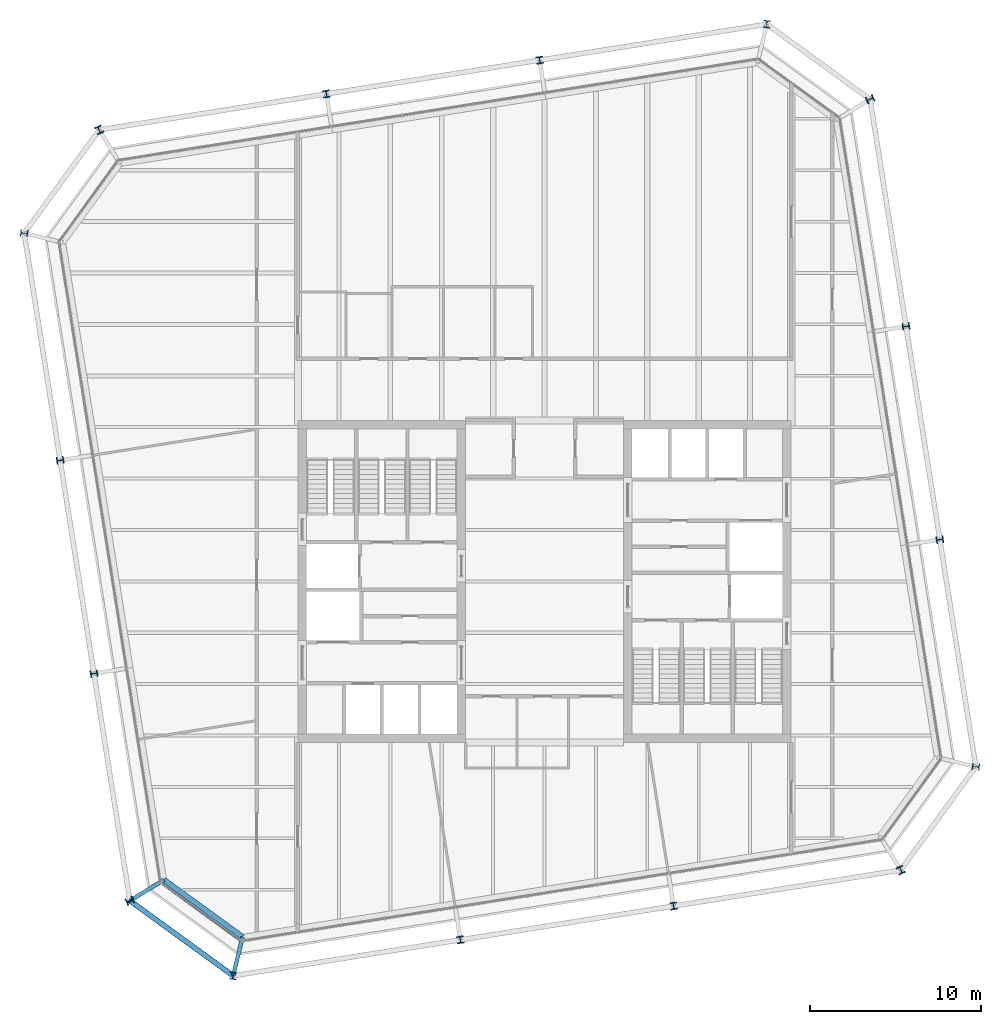
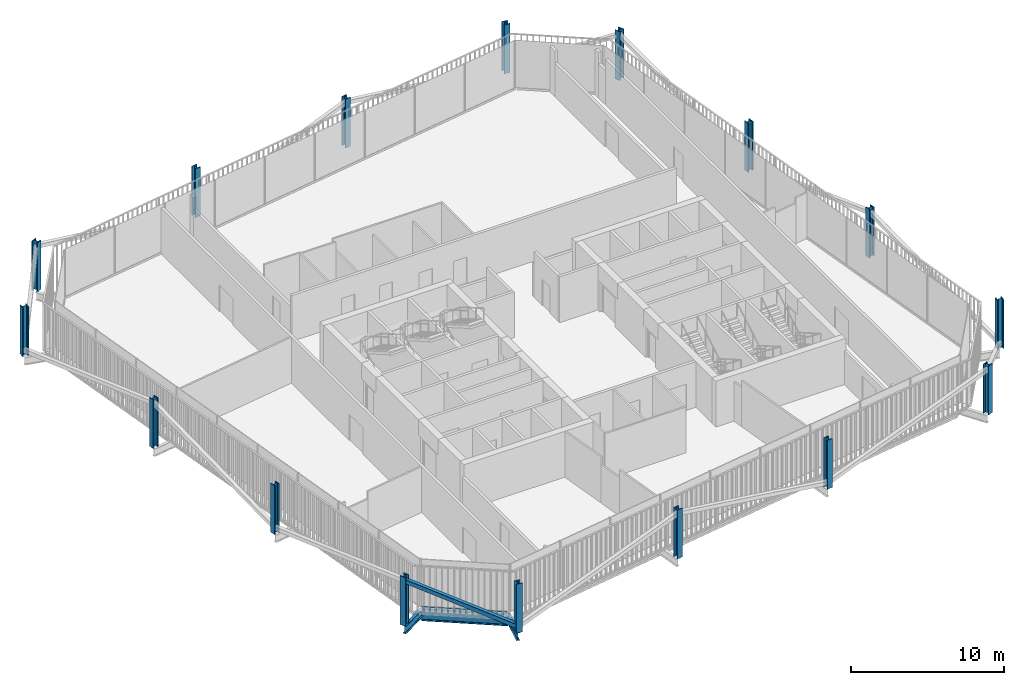
# One storey, part 1 of 21: 16 columns, 3 beams, 2 members, 1 element without a shape of its own.
"""IFC4 building model written with IfcOpenShell, lengths in metres."""

from ifc_helpers import new_model, si_unit, direction, frame, origin, origin_2d, place, context, subcontext, project, spatial, rectangle, hollow_rectangle, i_section, extrude, material, layer, layer_set, material_profile, profile_set, type_object, element, aggregate, save


model = new_model("IFC4")

# Units and contexts
model_context = context("Model", 3, precision=1e-05, world=origin(), true_north=direction((0.0, 1.0)))
body_context = subcontext(model_context, "Body", "Model", "MODEL_VIEW")
ifc_project = project(units=[si_unit("LENGTHUNIT", "METRE"), si_unit("AREAUNIT", "SQUARE_METRE"), si_unit("VOLUMEUNIT", "CUBIC_METRE"), si_unit("PLANEANGLEUNIT", "RADIAN"), si_unit("MASSUNIT", "GRAM", prefix="KILO")], contexts=[model_context])

# Site, building, storey
site_placement = place(None, origin())
site = spatial("IfcSite", under=ifc_project, at=site_placement, CompositionType="ELEMENT")
building_placement = place(site_placement, origin())
building = spatial("IfcBuilding", under=site, at=building_placement, Name="Millrace Tower", CompositionType="ELEMENT")
storey_placement = place(building_placement, frame((0.0, 0.0, 263.0)))
storey = spatial("IfcBuildingStorey", under=building, at=storey_placement, Name="L60", CompositionType="ELEMENT", Elevation=263.0)

# Columns
ifc_material_1 = material(Name="Steel ASTM A913 Grade 65", Category="steel")
ifc_material_profile_1 = material_profile(ifc_material_1, i_section(OverallWidth=0.408935546875, OverallDepth=0.424072265625, WebThickness=0.03271484375, FlangeThickness=0.052490234375, FilletRadius=0.01513671875, at=origin_2d()))
ifc_profile_set_1 = profile_set([ifc_material_profile_1], Name="Steel ASTM A913 Grade 65")
column_type_1 = type_object("IfcColumnType", Name="Exoskeleton column W14x283", PredefinedType="COLUMN", material=ifc_profile_set_1)
for number, where, z_axis, x_axis, name in (
    (1, (-4.91162109375, -20.927734375, 0.0), (0.0, 0.0, 1.0), (0.987688341035, 0.156434462265, 0.0), "COL-D-L60-X03"),
    (2, (7.533203125, -18.956787109375, 0.0), (0.0, 0.0, 1.0), (0.987688341035, 0.156434462265, 0.0), "COL-D-L60-X04"),
    (3, (23.07763671875, 2.4384765625, 0.0), (0.0, 0.0, 1.0), (-0.156434462265, 0.987688341035, 0.0), "COL-D-L60-X07"),
    (4, (21.106689453125, 14.88330078125, 0.0), (0.0, 0.0, 1.0), (-0.156434462265, 0.987688341035, 0.0), "COL-D-L60-X08"),
    (5, (-0.288330078125, 30.427734375, 0.0), (0.0, 0.0, 1.0), (-0.987688341035, -0.156434462265, 0.0), "COL-D-L60-X11"),
    (6, (-12.7333984375, 28.456787109375, 0.0), (0.0, 0.0, 1.0), (-0.987688341035, -0.156434462265, 0.0), "COL-D-L60-X12"),
    (7, (-28.27783203125, 7.0615234375, 0.0), (0.0, 0.0, 1.0), (0.156434462265, -0.987688341035, 0.0), "COL-D-L60-X15"),
    (8, (-26.306640625, -5.38330078125, 0.0), (0.0, 0.0, 1.0), (0.156434462265, -0.987688341035, 0.0), "COL-D-L60-X16"),
):
    element("IfcColumn", number, at=place(storey_placement, frame(where, z_axis=z_axis, x_axis=x_axis)), inside=storey, type_object=column_type_1, Name=name, PredefinedType="COLUMN", context=body_context, shape_type="SweptSolid", body=[
        extrude(i_section(OverallWidth=0.408935546875, OverallDepth=0.424072265625, WebThickness=0.03271484375, FlangeThickness=0.052490234375, FilletRadius=0.01513671875, at=origin_2d()), origin(), (0.0, 0.0, 1.0), 3.89990234375),
    ])
ifc_material_2 = material(Name="Steel ASTM A913 Grade 65", Category="steel")
ifc_material_profile_2 = material_profile(ifc_material_2, i_section(OverallWidth=0.41650390625, OverallDepth=0.444580078125, WebThickness=0.0390625, FlangeThickness=0.062744140625, FilletRadius=0.01513671875, at=origin_2d()))
ifc_profile_set_2 = profile_set([ifc_material_profile_2], Name="Steel ASTM A913 Grade 65")
column_type_2 = type_object("IfcColumnType", Name="Exoskeleton column W14x342", PredefinedType="COLUMN", material=ifc_profile_set_2)
for number, where, z_axis, x_axis, name in (
    (9, (-24.2060546875, -18.646484375, 0.0), (0.0, 0.0, 1.0), (0.418552981224, -0.908192381552, 0.0), "COL-D-L60-X01"),
    (10, (-18.174560546875, -23.0283203125, 0.0), (0.0, 0.0, 1.0), (0.993082267365, -0.117420655103, 0.0), "COL-D-L60-X02"),
    (11, (20.79638671875, -16.85595703125, 0.0), (0.0, 0.0, 1.0), (0.908192381552, 0.418552981224, 0.0), "COL-D-L60-X05"),
    (12, (25.178466796875, -10.82470703125, 0.0), (0.0, 0.0, 1.0), (0.117420655103, 0.993082267365, 0.0), "COL-D-L60-X06"),
    (13, (19.006103515625, 28.146484375, 0.0), (0.0, 0.0, 1.0), (-0.418552981224, 0.908192381552, 0.0), "COL-D-L60-X09"),
    (14, (12.974609375, 32.5283203125, 0.0), (0.0, 0.0, 1.0), (-0.993082267365, 0.117420655103, 0.0), "COL-D-L60-X10"),
    (15, (-25.996337890625, 26.35595703125, 0.0), (0.0, 0.0, 1.0), (-0.908192381552, -0.418552981224, 0.0), "COL-D-L60-X13"),
    (16, (-30.37841796875, 20.32470703125, 0.0), (0.0, 0.0, 1.0), (-0.117420655103, -0.993082267365, 0.0), "COL-D-L60-X14"),
):
    element("IfcColumn", number, at=place(storey_placement, frame(where, z_axis=z_axis, x_axis=x_axis)), inside=storey, type_object=column_type_2, Name=name, PredefinedType="COLUMN", context=body_context, shape_type="SweptSolid", body=[
        extrude(i_section(OverallWidth=0.41650390625, OverallDepth=0.444580078125, WebThickness=0.0390625, FlangeThickness=0.062744140625, FilletRadius=0.01513671875, at=origin_2d()), origin(), (0.0, 0.0, 1.0), 3.89990234375),
    ])

# Curtain wall, member
ifc_material_3 = material(Name="Aluminium and glass", Category="aluminium")
ifc_layer = layer(ifc_material_3, 0.14990234375)
ifc_layer_set = layer_set([ifc_layer], Name="Aluminium and glass")
curtain_wall_type = type_object("IfcCurtainWallType", Name="CW-1 office vision curtain wall", PredefinedType="NOTDEFINED", material=ifc_layer_set)
curtain_wall_placement = place(storey_placement, origin())
curtain_wall = element("IfcCurtainWall", 17, at=curtain_wall_placement, inside=storey, type_object=curtain_wall_type, Name="Curtain wall D-F01 L60", PredefinedType="NOTDEFINED")
ifc_material_4 = material(Name="Aluminium", Category="aluminium")
ifc_material_profile_3 = material_profile(ifc_material_4, rectangle(XDim=0.14990234375, YDim=0.139892578125, at=origin_2d()))
ifc_profile_set_3 = profile_set([ifc_material_profile_3], Name="Aluminium")
member_type_1 = type_object("IfcMemberType", Name="CW-1 office vision curtain wall transom", PredefinedType="USERDEFINED", material=ifc_profile_set_3)
member_1_placement = place(storey_placement, frame((-22.323486328125, -17.634765625, 0.070068359375), z_axis=(0.809033935994, -0.587761933448, 0.0), x_axis=(0.587761933448, 0.809033935994, 0.0)))
member_1 = element("IfcMember", 18, at=member_1_placement, type_object=member_type_1, Name="CW1 transom D-F01.1", ObjectType="TRANSOM", PredefinedType="USERDEFINED", context=body_context, shape_type="SweptSolid", body=[
    extrude(rectangle(XDim=0.14990234375, YDim=0.139892578125, at=origin_2d()), origin(), (0.0, 0.0, 1.0), 5.598388671875),
])
aggregate(curtain_wall, [member_1])

# Member
ifc_material_5 = material(Name="Steel ASTM A500 Grade C", Category="steel")
ifc_material_profile_4 = material_profile(ifc_material_5, hollow_rectangle(XDim=0.3046875, YDim=0.3046875, WallThickness=0.009521484375, InnerFilletRadius=0.004638671875, OuterFilletRadius=0.014404296875, at=origin_2d()))
ifc_profile_set_4 = profile_set([ifc_material_profile_4], Name="Steel ASTM A500 Grade C")
member_type_2 = type_object("IfcMemberType", Name="Exoskeleton brace HSS12x12x3/8", PredefinedType="BRACE", material=ifc_profile_set_4)
member_2_placement = place(storey_placement, frame((-18.174560546875, -23.0283203125, 0.39990234375), z_axis=(-0.747023691832, 0.542707193726, 0.383958989633), x_axis=(-0.587758820843, -0.809036197288, 0.0)))
element("IfcMember", 19, at=member_2_placement, inside=storey, type_object=member_type_2, Name="BRC-D-L60-01", PredefinedType="BRACE", context=body_context, shape_type="SweptSolid", body=[
    extrude(hollow_rectangle(XDim=0.3046875, YDim=0.3046875, WallThickness=0.009521484375, InnerFilletRadius=0.004638671875, OuterFilletRadius=0.014404296875, at=origin_2d()), origin(), (0.0, 0.0, 1.0), 8.073974609375),
])

# Beams
ifc_material_6 = material(Name="Steel ASTM A992 Grade 50", Category="steel")
ifc_material_profile_5 = material_profile(ifc_material_6, i_section(OverallWidth=0.23046875, OverallDepth=0.6171875, WebThickness=0.01318359375, FlangeThickness=0.022216796875, FilletRadius=0.012939453125, at=origin_2d()))
ifc_profile_set_5 = profile_set([ifc_material_profile_5], Name="Steel ASTM A992 Grade 50")
beam_type_1 = type_object("IfcBeamType", Name="Link beam W24x94", PredefinedType="BEAM", material=ifc_profile_set_5)
for number, where, z_axis, x_axis, name in (
    (20, (-22.218505859375, -17.428466796875, -0.468505859375), (-0.852631355792, -0.522512938711, 0.0), (0.522512938711, -0.852631355792, 0.0), "LNK-D-L60-S1-01"),
    (21, (-17.63037109375, -20.76171875, -0.468505859375), (-0.233456138164, -0.972367333652, 0.0), (0.972367333652, -0.233456138164, 0.0), "LNK-D-L60-S1-16"),
):
    element("IfcBeam", number, at=place(storey_placement, frame(where, z_axis=z_axis, x_axis=x_axis)), inside=storey, type_object=beam_type_1, Name=name, PredefinedType="BEAM", context=body_context, shape_type="SweptSolid", body=[
        extrude(i_section(OverallWidth=0.23046875, OverallDepth=0.6171875, WebThickness=0.01318359375, FlangeThickness=0.022216796875, FilletRadius=0.012939453125, at=origin_2d()), origin(), (0.0, 0.0, 1.0), 2.3310546875),
    ])
ifc_material_7 = material(Name="Steel ASTM A992 Grade 50", Category="steel")
ifc_material_profile_6 = material_profile(ifc_material_7, i_section(OverallWidth=0.307373046875, OverallDepth=0.927001953125, WebThickness=0.01953125, FlangeThickness=0.031982421875, FilletRadius=0.01904296875, at=origin_2d()))
ifc_profile_set_6 = profile_set([ifc_material_profile_6], Name="Steel ASTM A992 Grade 50")
beam_type_2 = type_object("IfcBeamType", Name="Ring beam short span W36x194", PredefinedType="SPANDREL", material=ifc_profile_set_6)
beam_placement = place(storey_placement, frame((-17.63037109375, -20.76171875, -0.62353515625), z_axis=(-0.809035699289, 0.587759506326, 0.0), x_axis=(-0.587759506326, -0.809035699289, 0.0)))
element("IfcBeam", 22, at=beam_placement, inside=storey, type_object=beam_type_2, Name="RNG-D-L60-S1-16", PredefinedType="SPANDREL", context=body_context, shape_type="SweptSolid", body=[
    extrude(i_section(OverallWidth=0.307373046875, OverallDepth=0.927001953125, WebThickness=0.01953125, FlangeThickness=0.031982421875, FilletRadius=0.01904296875, at=origin_2d()), origin(), (0.0, 0.0, 1.0), 5.671142578125),
])

save(model, "model.ifc")
